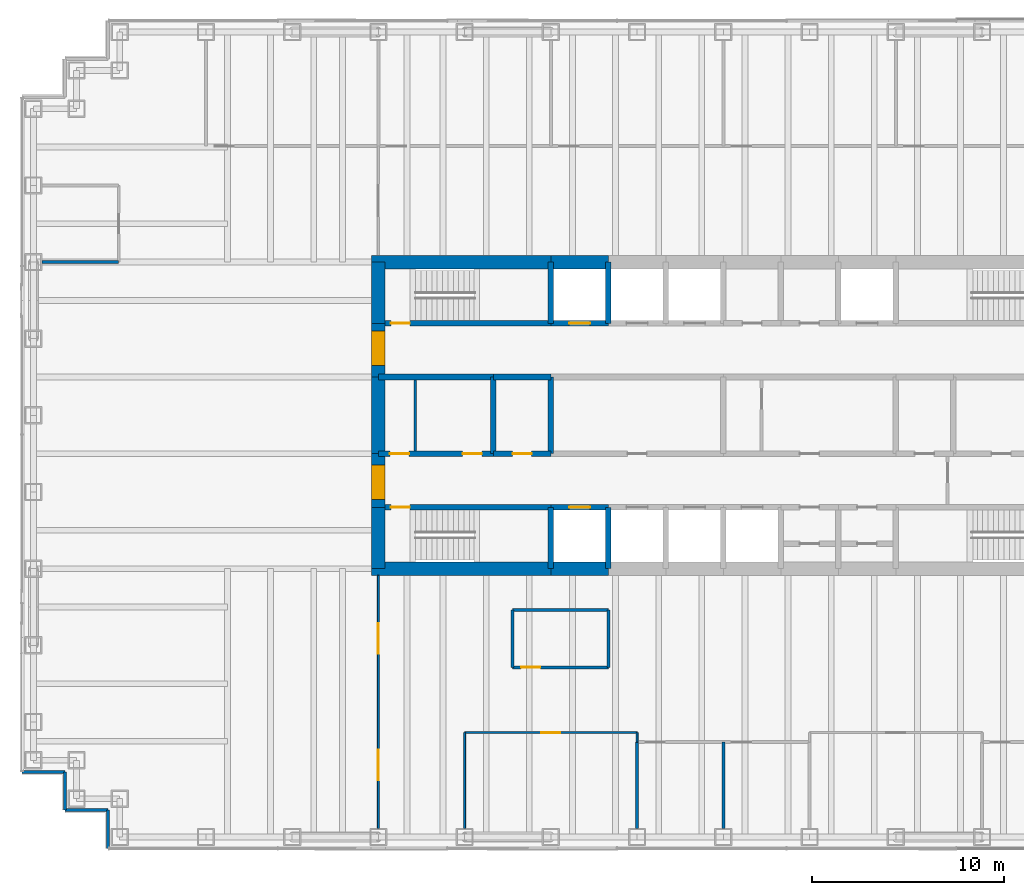
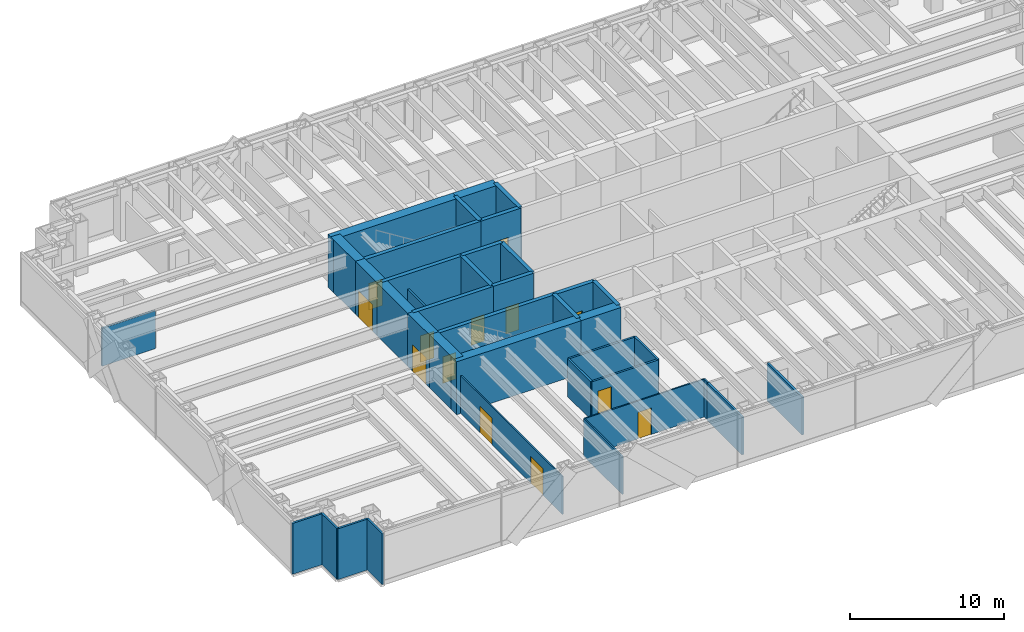
# One storey, part 13 of 17: 39 walls, 13 doors, 13 openings.
"""IFC4 building model written with IfcOpenShell, lengths in metres."""

from ifc_helpers import new_model, si_unit, direction, frame, frame_2d, origin, place, context, subcontext, project, spatial, rectangle, extrude, material, layer, layer_set, type_object, element, fill, save


model = new_model("IFC4")

# Units and contexts
model_context = context("Model", 3, precision=1e-05, world=origin(), true_north=direction((0.0, 1.0)))
body_context = subcontext(model_context, "Body", "Model", "MODEL_VIEW")
ifc_project = project(units=[si_unit("LENGTHUNIT", "METRE"), si_unit("AREAUNIT", "SQUARE_METRE"), si_unit("VOLUMEUNIT", "CUBIC_METRE"), si_unit("PLANEANGLEUNIT", "RADIAN"), si_unit("MASSUNIT", "GRAM", prefix="KILO")], contexts=[model_context])

# Site, building, storey
site_placement = place(None, origin())
site = spatial("IfcSite", under=ifc_project, at=site_placement, CompositionType="ELEMENT")
building_placement = place(site_placement, origin())
building = spatial("IfcBuilding", under=site, at=building_placement, Name="Rheinbord Bourse Tower", CompositionType="ELEMENT")
storey_placement = place(building_placement, frame((0.0, 0.0, 283.699951171875)))
storey = spatial("IfcBuildingStorey", under=building, at=storey_placement, Name="L64", CompositionType="ELEMENT", Elevation=283.699951171875)

# Wall, opening, door
ifc_material_1 = material(Name="Concrete C50/60", Category="concrete")
ifc_layer_1 = layer(ifc_material_1, 0.300048828125)
ifc_layer_set_1 = layer_set([ifc_layer_1], Name="CORE INNER WALL 300")
wall_type_1 = type_object("IfcWallType", Name="CORE INNER WALL 300", PredefinedType="SOLIDWALL", material=ifc_layer_set_1)
wall_1_placement = place(storey_placement, frame((18.0, 19.199951171875, 0.0), z_axis=(0.0, 0.0, 1.0), x_axis=(1.0, 0.0, 0.0)))
wall_1 = element("IfcWall", 1, at=wall_1_placement, inside=storey, type_object=wall_type_1, Name="Core wall A1 L64", PredefinedType="SOLIDWALL", context=body_context, shape_type="SweptSolid", body=[
    extrude(rectangle(XDim=9.0, YDim=0.300048828125, at=frame_2d((4.5, 0.0))), origin(), (0.0, 0.0, 1.0), 4.199951171875),
])
opening_1_placement = place(wall_1_placement, frame((0.64990234375, 0.0, 0.0)))
opening_1 = element("IfcOpeningElement", 2, at=opening_1_placement, cuts=wall_1, Name="Opening 6410", PredefinedType="OPENING", context=body_context, shape_type="SweptSolid", body=[
    extrude(rectangle(XDim=1.0, YDim=2.10009765625, at=frame_2d((0.5, 1.050048828125))), frame((0.0, 0.159912109375, 0.0), z_axis=(0.0, -1.0, 0.0), x_axis=(1.0, 0.0, 0.0)), (0.0, 0.0, 1.0), 0.320068359375),
])
ifc_material_2 = material(Name="Steel door", Category="steel")
door_type_1 = type_object("IfcDoorType", Name="DOOR 1000 EI30", OperationType="SINGLE_SWING_LEFT", PredefinedType="DOOR", material=ifc_material_2)
door_1_placement = place(opening_1_placement, origin())
door_1 = element("IfcDoor", 3, at=door_1_placement, inside=storey, type_object=door_type_1, Name="Stair door ST1 L64", OperationType="SINGLE_SWING_LEFT", OverallHeight=2.10009765625, OverallWidth=1.0, PredefinedType="DOOR", context=body_context, shape_type="SweptSolid", body=[
    extrude(rectangle(XDim=1.0, YDim=2.10009765625, at=frame_2d((0.5, 1.050048828125))), frame((0.0, 0.02490234375, 0.0), z_axis=(0.0, -1.0, 0.0), x_axis=(1.0, 0.0, 0.0)), (0.0, 0.0, 1.0), 0.050048828125),
])
fill(opening_1, door_1)

wall_2_placement = place(storey_placement, frame((27.0, 19.199951171875, 0.0), z_axis=(0.0, 0.0, 1.0), x_axis=(1.0, 0.0, 0.0)))
wall_2 = element("IfcWall", 4, at=wall_2_placement, inside=storey, type_object=wall_type_1, Name="Core wall A2 L64", PredefinedType="SOLIDWALL", context=body_context, shape_type="SweptSolid", body=[
    extrude(rectangle(XDim=3.0, YDim=0.300048828125, at=frame_2d((1.5, 0.0))), origin(), (0.0, 0.0, 1.0), 4.199951171875),
])
opening_2_placement = place(wall_2_placement, frame((0.949951171875, 0.0, 0.0)))
opening_2 = element("IfcOpeningElement", 5, at=opening_2_placement, cuts=wall_2, Name="Opening FL1", PredefinedType="OPENING", context=body_context, shape_type="SweptSolid", body=[
    extrude(rectangle(XDim=1.10009765625, YDim=2.199951171875, at=frame_2d((0.550048828125, 1.10009765625))), frame((0.0, 0.159912109375, 0.0), z_axis=(0.0, -1.0, 0.0), x_axis=(1.0, 0.0, 0.0)), (0.0, 0.0, 1.0), 0.320068359375),
])
ifc_material_3 = material(Name="Steel landing door", Category="steel")
door_type_2 = type_object("IfcDoorType", Name="LIFT LANDING DOOR 1100", OperationType="DOUBLE_DOOR_SLIDING", PredefinedType="USERDEFINED", material=ifc_material_3)
door_2_placement = place(opening_2_placement, origin())
door_2 = element("IfcDoor", 6, at=door_2_placement, inside=storey, type_object=door_type_2, Name="Lift landing door FL1 L64", ObjectType="LIFT LANDING DOOR", OperationType="DOUBLE_DOOR_SLIDING", OverallHeight=2.199951171875, OverallWidth=1.10009765625, PredefinedType="USERDEFINED", context=body_context, shape_type="SweptSolid", body=[
    extrude(rectangle(XDim=1.10009765625, YDim=2.199951171875, at=frame_2d((0.550048828125, 1.10009765625))), frame((0.0, 0.02490234375, 0.0), z_axis=(0.0, -1.0, 0.0), x_axis=(1.0, 0.0, 0.0)), (0.0, 0.0, 1.0), 0.050048828125),
])
fill(opening_2, door_2)

wall_3_placement = place(storey_placement, frame((18.0, 28.800048828125, 0.0), z_axis=(0.0, 0.0, 1.0), x_axis=(1.0, 0.0, 0.0)))
wall_3 = element("IfcWall", 7, at=wall_3_placement, inside=storey, type_object=wall_type_1, Name="Core wall B1 L64", PredefinedType="SOLIDWALL", context=body_context, shape_type="SweptSolid", body=[
    extrude(rectangle(XDim=9.0, YDim=0.300048828125, at=frame_2d((4.5, 0.0))), origin(), (0.0, 0.0, 1.0), 4.199951171875),
])
opening_3_placement = place(wall_3_placement, frame((0.64990234375, 0.0, 0.0)))
opening_3 = element("IfcOpeningElement", 8, at=opening_3_placement, cuts=wall_3, Name="Opening 6420", PredefinedType="OPENING", context=body_context, shape_type="SweptSolid", body=[
    extrude(rectangle(XDim=1.0, YDim=2.10009765625, at=frame_2d((0.5, 1.050048828125))), frame((0.0, 0.159912109375, 0.0), z_axis=(0.0, -1.0, 0.0), x_axis=(1.0, 0.0, 0.0)), (0.0, 0.0, 1.0), 0.320068359375),
])
door_3_placement = place(opening_3_placement, origin())
door_3 = element("IfcDoor", 9, at=door_3_placement, inside=storey, type_object=door_type_1, Name="Stair door ST2 L64", OperationType="SINGLE_SWING_LEFT", OverallHeight=2.10009765625, OverallWidth=1.0, PredefinedType="DOOR", context=body_context, shape_type="SweptSolid", body=[
    extrude(rectangle(XDim=1.0, YDim=2.10009765625, at=frame_2d((0.5, 1.050048828125))), frame((0.0, 0.02490234375, 0.0), z_axis=(0.0, -1.0, 0.0), x_axis=(1.0, 0.0, 0.0)), (0.0, 0.0, 1.0), 0.050048828125),
])
fill(opening_3, door_3)

wall_4_placement = place(storey_placement, frame((27.0, 28.800048828125, 0.0), z_axis=(0.0, 0.0, 1.0), x_axis=(1.0, 0.0, 0.0)))
wall_4 = element("IfcWall", 10, at=wall_4_placement, inside=storey, type_object=wall_type_1, Name="Core wall B2 L64", PredefinedType="SOLIDWALL", context=body_context, shape_type="SweptSolid", body=[
    extrude(rectangle(XDim=3.0, YDim=0.300048828125, at=frame_2d((1.5, 0.0))), origin(), (0.0, 0.0, 1.0), 4.199951171875),
])
opening_4_placement = place(wall_4_placement, frame((0.949951171875, 0.0, 0.0)))
opening_4 = element("IfcOpeningElement", 11, at=opening_4_placement, cuts=wall_4, Name="Opening GL1", PredefinedType="OPENING", context=body_context, shape_type="SweptSolid", body=[
    extrude(rectangle(XDim=1.10009765625, YDim=2.199951171875, at=frame_2d((0.550048828125, 1.10009765625))), frame((0.0, 0.159912109375, 0.0), z_axis=(0.0, -1.0, 0.0), x_axis=(1.0, 0.0, 0.0)), (0.0, 0.0, 1.0), 0.320068359375),
])
door_4_placement = place(opening_4_placement, origin())
door_4 = element("IfcDoor", 12, at=door_4_placement, inside=storey, type_object=door_type_2, Name="Lift landing door GL1 L64", ObjectType="LIFT LANDING DOOR", OperationType="DOUBLE_DOOR_SLIDING", OverallHeight=2.199951171875, OverallWidth=1.10009765625, PredefinedType="USERDEFINED", context=body_context, shape_type="SweptSolid", body=[
    extrude(rectangle(XDim=1.10009765625, YDim=2.199951171875, at=frame_2d((0.550048828125, 1.10009765625))), frame((0.0, 0.02490234375, 0.0), z_axis=(0.0, -1.0, 0.0), x_axis=(1.0, 0.0, 0.0)), (0.0, 0.0, 1.0), 0.050048828125),
])
fill(opening_4, door_4)

# Wall, openings, doors
wall_5_placement = place(storey_placement, frame((18.0, 22.0, 0.0), z_axis=(0.0, 0.0, 1.0), x_axis=(1.0, 0.0, 0.0)))
wall_5 = element("IfcWall", 13, at=wall_5_placement, inside=storey, type_object=wall_type_1, Name="Core wall C1 L64", PredefinedType="SOLIDWALL", context=body_context, shape_type="SweptSolid", body=[
    extrude(rectangle(XDim=6.0, YDim=0.300048828125, at=frame_2d((3.0, 0.0))), origin(), (0.0, 0.0, 1.0), 4.199951171875),
])
opening_5_placement = place(wall_5_placement, frame((4.39990234375, 0.0, 0.0)))
opening_5 = element("IfcOpeningElement", 14, at=opening_5_placement, cuts=wall_5, Name="Opening 64R1", PredefinedType="OPENING", context=body_context, shape_type="SweptSolid", body=[
    extrude(rectangle(XDim=1.0, YDim=2.10009765625, at=frame_2d((0.5, 1.050048828125))), frame((0.0, 0.159912109375, 0.0), z_axis=(0.0, -1.0, 0.0), x_axis=(1.0, 0.0, 0.0)), (0.0, 0.0, 1.0), 0.320068359375),
])
opening_6_placement = place(wall_5_placement, frame((0.60009765625, 0.0, 0.0)))
opening_6 = element("IfcOpeningElement", 15, at=opening_6_placement, cuts=wall_5, Name="Opening 64R9", PredefinedType="OPENING", context=body_context, shape_type="SweptSolid", body=[
    extrude(rectangle(XDim=1.0, YDim=2.10009765625, at=frame_2d((0.5, 1.050048828125))), frame((0.0, 0.159912109375, 0.0), z_axis=(0.0, -1.0, 0.0), x_axis=(1.0, 0.0, 0.0)), (0.0, 0.0, 1.0), 0.320068359375),
])
door_5_placement = place(opening_6_placement, origin())
door_5 = element("IfcDoor", 16, at=door_5_placement, inside=storey, type_object=door_type_1, Name="Staff shower door L64", OperationType="SINGLE_SWING_LEFT", OverallHeight=2.10009765625, OverallWidth=1.0, PredefinedType="DOOR", context=body_context, shape_type="SweptSolid", body=[
    extrude(rectangle(XDim=1.0, YDim=2.10009765625, at=frame_2d((0.5, 1.050048828125))), frame((0.0, 0.02490234375, 0.0), z_axis=(0.0, -1.0, 0.0), x_axis=(1.0, 0.0, 0.0)), (0.0, 0.0, 1.0), 0.050048828125),
])
fill(opening_6, door_5)
ifc_material_4 = material(Name="Timber door", Category="wood")
door_type_3 = type_object("IfcDoorType", Name="DOOR 1000 WC", OperationType="SINGLE_SWING_LEFT", PredefinedType="DOOR", material=ifc_material_4)
door_6_placement = place(opening_5_placement, origin())
door_6 = element("IfcDoor", 17, at=door_6_placement, inside=storey, type_object=door_type_3, Name="WC men door L64", OperationType="SINGLE_SWING_RIGHT", OverallHeight=2.10009765625, OverallWidth=1.0, PredefinedType="DOOR", context=body_context, shape_type="SweptSolid", body=[
    extrude(rectangle(XDim=1.0, YDim=2.10009765625, at=frame_2d((0.5, 1.050048828125))), frame((0.0, 0.02490234375, 0.0), z_axis=(0.0, -1.0, 0.0), x_axis=(1.0, 0.0, 0.0)), (0.0, 0.0, 1.0), 0.050048828125),
])
fill(opening_5, door_6)

# Wall, opening, door
wall_6_placement = place(storey_placement, frame((24.0, 22.0, 0.0), z_axis=(0.0, 0.0, 1.0), x_axis=(1.0, 0.0, 0.0)))
wall_6 = element("IfcWall", 18, at=wall_6_placement, inside=storey, type_object=wall_type_1, Name="Core wall C2 L64", PredefinedType="SOLIDWALL", context=body_context, shape_type="SweptSolid", body=[
    extrude(rectangle(XDim=3.0, YDim=0.300048828125, at=frame_2d((1.5, 0.0))), origin(), (0.0, 0.0, 1.0), 4.199951171875),
])
opening_7_placement = place(wall_6_placement, frame((1.0, 0.0, 0.0)))
opening_7 = element("IfcOpeningElement", 19, at=opening_7_placement, cuts=wall_6, Name="Opening 64R2", PredefinedType="OPENING", context=body_context, shape_type="SweptSolid", body=[
    extrude(rectangle(XDim=1.0, YDim=2.10009765625, at=frame_2d((0.5, 1.050048828125))), frame((0.0, 0.159912109375, 0.0), z_axis=(0.0, -1.0, 0.0), x_axis=(1.0, 0.0, 0.0)), (0.0, 0.0, 1.0), 0.320068359375),
])
door_7_placement = place(opening_7_placement, origin())
door_7 = element("IfcDoor", 20, at=door_7_placement, inside=storey, type_object=door_type_1, Name="First aid room door L64", OperationType="SINGLE_SWING_LEFT", OverallHeight=2.10009765625, OverallWidth=1.0, PredefinedType="DOOR", context=body_context, shape_type="SweptSolid", body=[
    extrude(rectangle(XDim=1.0, YDim=2.10009765625, at=frame_2d((0.5, 1.050048828125))), frame((0.0, 0.02490234375, 0.0), z_axis=(0.0, -1.0, 0.0), x_axis=(1.0, 0.0, 0.0)), (0.0, 0.0, 1.0), 0.050048828125),
])
fill(opening_7, door_7)

# Walls
wall_7_placement = place(storey_placement, frame((18.0, 26.0, 0.0), z_axis=(0.0, 0.0, 1.0), x_axis=(1.0, 0.0, 0.0)))
element("IfcWall", 21, at=wall_7_placement, inside=storey, type_object=wall_type_1, Name="Core wall D1 L64", PredefinedType="SOLIDWALL", context=body_context, shape_type="SweptSolid", body=[
    extrude(rectangle(XDim=6.0, YDim=0.300048828125, at=frame_2d((3.0, 0.0))), origin(), (0.0, 0.0, 1.0), 4.199951171875),
])
wall_8_placement = place(storey_placement, frame((24.0, 26.0, 0.0), z_axis=(0.0, 0.0, 1.0), x_axis=(1.0, 0.0, 0.0)))
element("IfcWall", 22, at=wall_8_placement, inside=storey, type_object=wall_type_1, Name="Core wall D2 L64", PredefinedType="SOLIDWALL", context=body_context, shape_type="SweptSolid", body=[
    extrude(rectangle(XDim=3.0, YDim=0.300048828125, at=frame_2d((1.5, 0.0))), origin(), (0.0, 0.0, 1.0), 4.199951171875),
])
for number, where, z_axis, x_axis, name in (
    (23, (27.0, 16.0, 0.0), (0.0, 0.0, 1.0), (0.0, 1.0, 0.0), "Core wall SX27 L64"),
    (24, (27.0, 28.800048828125, 0.0), (0.0, 0.0, 1.0), (0.0, 1.0, 0.0), "Core wall NX27 L64"),
    (25, (30.0, 16.0, 0.0), (0.0, 0.0, 1.0), (0.0, 1.0, 0.0), "Core wall SX30 L64"),
    (26, (30.0, 28.800048828125, 0.0), (0.0, 0.0, 1.0), (0.0, 1.0, 0.0), "Core wall NX30 L64"),
):
    element("IfcWall", number, at=place(storey_placement, frame(where, z_axis=z_axis, x_axis=x_axis)), inside=storey, type_object=wall_type_1, Name=name, PredefinedType="SOLIDWALL", context=body_context, shape_type="SweptSolid", body=[
        extrude(rectangle(XDim=3.199951171875, YDim=0.300048828125, at=frame_2d((1.60009765625, 0.0))), origin(), (0.0, 0.0, 1.0), 4.199951171875),
    ])
for number, where, z_axis, x_axis, name in (
    (27, (24.0, 22.0, 0.0), (0.0, 0.0, 1.0), (0.0, 1.0, 0.0), "Core wall MX24 L64"),
    (28, (27.0, 22.0, 0.0), (0.0, 0.0, 1.0), (0.0, 1.0, 0.0), "Core wall MX27 L64"),
):
    element("IfcWall", number, at=place(storey_placement, frame(where, z_axis=z_axis, x_axis=x_axis)), inside=storey, type_object=wall_type_1, Name=name, PredefinedType="SOLIDWALL", context=body_context, shape_type="SweptSolid", body=[
        extrude(rectangle(XDim=4.0, YDim=0.300048828125, at=frame_2d((2.0, 0.0))), origin(), (0.0, 0.0, 1.0), 4.199951171875),
    ])
ifc_material_5 = material(Name="Gypsum board fire partition", Category="gypsum board")
ifc_layer_2 = layer(ifc_material_5, 0.14990234375)
ifc_layer_set_2 = layer_set([ifc_layer_2], Name="CORE PARTITION 150 EI30")
wall_type_2 = type_object("IfcWallType", Name="CORE PARTITION 150 EI30", PredefinedType="PARTITIONING", material=ifc_layer_set_2)
wall_9_placement = place(storey_placement, frame((19.925048828125, 22.14990234375, 0.0), z_axis=(0.0, 0.0, 1.0), x_axis=(0.0, 1.0, 0.0)))
element("IfcWall", 29, at=wall_9_placement, inside=storey, type_object=wall_type_2, Name="Core partition L64-2", PredefinedType="PARTITIONING", context=body_context, shape_type="SweptSolid", body=[
    extrude(rectangle(XDim=3.7001953125, YDim=0.14990234375, at=frame_2d((1.85009765625, 0.0))), origin(), (0.0, 0.0, 1.0), 3.0),
])
ifc_material_6 = material(Name="Concrete C50/60", Category="concrete")
ifc_layer_3 = layer(ifc_material_6, 0.699951171875)
ifc_layer_set_3 = layer_set([ifc_layer_3], Name="CORE WALL 700")
wall_type_3 = type_object("IfcWallType", Name="CORE WALL 700", PredefinedType="SHEAR", material=ifc_layer_set_3)
wall_10_placement = place(storey_placement, frame((17.64990234375, 16.0, 0.0), z_axis=(0.0, 0.0, 1.0), x_axis=(1.0, 0.0, 0.0)))
element("IfcWall", 30, at=wall_10_placement, inside=storey, type_object=wall_type_3, Name="Core wall S1 L64", PredefinedType="SHEAR", context=body_context, shape_type="SweptSolid", body=[
    extrude(rectangle(XDim=9.35009765625, YDim=0.699951171875, at=frame_2d((4.675048828125, 0.0))), origin(), (0.0, 0.0, 1.0), 4.199951171875),
])
for number, where, z_axis, x_axis, name in (
    (31, (27.0, 16.0, 0.0), (0.0, 0.0, 1.0), (1.0, 0.0, 0.0), "Core wall S2 L64"),
    (32, (30.0, 32.0, 0.0), (0.0, 0.0, 1.0), (-1.0, 0.0, 0.0), "Core wall N7 L64"),
):
    element("IfcWall", number, at=place(storey_placement, frame(where, z_axis=z_axis, x_axis=x_axis)), inside=storey, type_object=wall_type_3, Name=name, PredefinedType="SHEAR", context=body_context, shape_type="SweptSolid", body=[
        extrude(rectangle(XDim=3.0, YDim=0.699951171875, at=frame_2d((1.5, 0.0))), origin(), (0.0, 0.0, 1.0), 4.199951171875),
    ])
wall_11_placement = place(storey_placement, frame((27.0, 32.0, 0.0), z_axis=(0.0, 0.0, 1.0), x_axis=(-1.0, 0.0, 0.0)))
element("IfcWall", 33, at=wall_11_placement, inside=storey, type_object=wall_type_3, Name="Core wall N8 L64", PredefinedType="SHEAR", context=body_context, shape_type="SweptSolid", body=[
    extrude(rectangle(XDim=9.35009765625, YDim=0.699951171875, at=frame_2d((4.675048828125, 0.0))), origin(), (0.0, 0.0, 1.0), 4.199951171875),
])
wall_12_placement = place(storey_placement, frame((18.0, 32.0, 0.0), z_axis=(0.0, 0.0, 1.0), x_axis=(0.0, -1.0, 0.0)))
element("IfcWall", 34, at=wall_12_placement, inside=storey, type_object=wall_type_3, Name="Core wall W1 L64", PredefinedType="SHEAR", context=body_context, shape_type="SweptSolid", body=[
    extrude(rectangle(XDim=3.199951171875, YDim=0.699951171875, at=frame_2d((1.60009765625, 0.0))), origin(), (0.0, 0.0, 1.0), 4.199951171875),
])

# Wall, opening, door
wall_13_placement = place(storey_placement, frame((18.0, 28.800048828125, 0.0), z_axis=(0.0, 0.0, 1.0), x_axis=(0.0, -1.0, 0.0)))
wall_13 = element("IfcWall", 35, at=wall_13_placement, inside=storey, type_object=wall_type_3, Name="Core wall W2 L64", PredefinedType="SHEAR", context=body_context, shape_type="SweptSolid", body=[
    extrude(rectangle(XDim=2.800048828125, YDim=0.699951171875, at=frame_2d((1.39990234375, 0.0))), origin(), (0.0, 0.0, 1.0), 4.199951171875),
])
opening_8_placement = place(wall_13_placement, frame((0.39990234375, 0.0, 0.0)))
opening_8 = element("IfcOpeningElement", 36, at=opening_8_placement, cuts=wall_13, Name="Opening 64L2", PredefinedType="OPENING", context=body_context, shape_type="SweptSolid", body=[
    extrude(rectangle(XDim=1.800048828125, YDim=2.10009765625, at=frame_2d((0.89990234375, 1.050048828125))), frame((0.0, 0.35986328125, 0.0), z_axis=(0.0, -1.0, 0.0), x_axis=(1.0, 0.0, 0.0)), (0.0, 0.0, 1.0), 0.719970703125),
])
ifc_material_7 = material(Name="Steel door", Category="steel")
door_type_4 = type_object("IfcDoorType", Name="DOOR 1800 EI30 DOUBLE", OperationType="DOUBLE_DOOR_DOUBLE_SWING", PredefinedType="DOOR", material=ifc_material_7)
door_8_placement = place(opening_8_placement, origin())
door_8 = element("IfcDoor", 37, at=door_8_placement, inside=storey, type_object=door_type_4, Name="Lobby door 2 L64", OperationType="SINGLE_SWING_LEFT", OverallHeight=2.10009765625, OverallWidth=1.800048828125, PredefinedType="DOOR", context=body_context, shape_type="SweptSolid", body=[
    extrude(rectangle(XDim=1.800048828125, YDim=2.10009765625, at=frame_2d((0.89990234375, 1.050048828125))), frame((0.0, 0.349609375, 0.0), z_axis=(0.0, -1.0, 0.0), x_axis=(1.0, 0.0, 0.0)), (0.0, 0.0, 1.0), 0.699462890625),
])
fill(opening_8, door_8)

# Wall
wall_14_placement = place(storey_placement, frame((18.0, 26.0, 0.0), z_axis=(0.0, 0.0, 1.0), x_axis=(0.0, -1.0, 0.0)))
element("IfcWall", 38, at=wall_14_placement, inside=storey, type_object=wall_type_3, Name="Core wall W3 L64", PredefinedType="SHEAR", context=body_context, shape_type="SweptSolid", body=[
    extrude(rectangle(XDim=4.0, YDim=0.699951171875, at=frame_2d((2.0, 0.0))), origin(), (0.0, 0.0, 1.0), 4.199951171875),
])

# Wall, opening, door
wall_15_placement = place(storey_placement, frame((18.0, 22.0, 0.0), z_axis=(0.0, 0.0, 1.0), x_axis=(0.0, -1.0, 0.0)))
wall_15 = element("IfcWall", 39, at=wall_15_placement, inside=storey, type_object=wall_type_3, Name="Core wall W4 L64", PredefinedType="SHEAR", context=body_context, shape_type="SweptSolid", body=[
    extrude(rectangle(XDim=2.800048828125, YDim=0.699951171875, at=frame_2d((1.39990234375, 0.0))), origin(), (0.0, 0.0, 1.0), 4.199951171875),
])
opening_9_placement = place(wall_15_placement, frame((0.60009765625, 0.0, 0.0)))
opening_9 = element("IfcOpeningElement", 40, at=opening_9_placement, cuts=wall_15, Name="Opening 64L1", PredefinedType="OPENING", context=body_context, shape_type="SweptSolid", body=[
    extrude(rectangle(XDim=1.800048828125, YDim=2.10009765625, at=frame_2d((0.89990234375, 1.050048828125))), frame((0.0, 0.35986328125, 0.0), z_axis=(0.0, -1.0, 0.0), x_axis=(1.0, 0.0, 0.0)), (0.0, 0.0, 1.0), 0.719970703125),
])
door_9_placement = place(opening_9_placement, origin())
door_9 = element("IfcDoor", 41, at=door_9_placement, inside=storey, type_object=door_type_4, Name="Lobby door 1 L64", OperationType="SINGLE_SWING_LEFT", OverallHeight=2.10009765625, OverallWidth=1.800048828125, PredefinedType="DOOR", context=body_context, shape_type="SweptSolid", body=[
    extrude(rectangle(XDim=1.800048828125, YDim=2.10009765625, at=frame_2d((0.89990234375, 1.050048828125))), frame((0.0, 0.349609375, 0.0), z_axis=(0.0, -1.0, 0.0), x_axis=(1.0, 0.0, 0.0)), (0.0, 0.0, 1.0), 0.699462890625),
])
fill(opening_9, door_9)

# Walls
wall_16_placement = place(storey_placement, frame((18.0, 19.199951171875, 0.0), z_axis=(0.0, 0.0, 1.0), x_axis=(0.0, -1.0, 0.0)))
element("IfcWall", 42, at=wall_16_placement, inside=storey, type_object=wall_type_3, Name="Core wall W5 L64", PredefinedType="SHEAR", context=body_context, shape_type="SweptSolid", body=[
    extrude(rectangle(XDim=3.199951171875, YDim=0.699951171875, at=frame_2d((1.60009765625, 0.0))), origin(), (0.0, 0.0, 1.0), 4.199951171875),
])
ifc_material_8 = material(Name="Black metal rainscreen panel", Category="aluminium")
ifc_layer_4 = layer(ifc_material_8, 0.14990234375)
ifc_layer_set_4 = layer_set([ifc_layer_4], Name="CORNER PIER CLADDING 150")
wall_type_4 = type_object("IfcWallType", Name="CORNER PIER CLADDING 150", PredefinedType="ELEMENTEDWALL", material=ifc_layer_set_4)
wall_17_placement = place(storey_placement, frame((-0.60009765625, 5.39990234375, 0.0), z_axis=(0.0, 0.0, 1.0), x_axis=(1.0, 0.0, 0.0)))
element("IfcWall", 43, at=wall_17_placement, inside=storey, type_object=wall_type_4, Name="Corner pier cladding L64 17", PredefinedType="ELEMENTEDWALL", context=body_context, shape_type="SweptSolid", body=[
    extrude(rectangle(XDim=2.25, YDim=0.14990234375, at=frame_2d((1.125, 0.0))), origin(), (0.0, 0.0, 1.0), 4.0400390625),
])
wall_18_placement = place(storey_placement, frame((1.64990234375, 5.39990234375, 0.0), z_axis=(0.0, 0.0, 1.0), x_axis=(0.0, -1.0, 0.0)))
element("IfcWall", 44, at=wall_18_placement, inside=storey, type_object=wall_type_4, Name="Corner pier cladding L64 18", PredefinedType="ELEMENTEDWALL", context=body_context, shape_type="SweptSolid", body=[
    extrude(rectangle(XDim=2.0, YDim=0.14990234375, at=frame_2d((1.0, 0.0))), origin(), (0.0, 0.0, 1.0), 4.0400390625),
])
wall_19_placement = place(storey_placement, frame((1.64990234375, 3.39990234375, 0.0), z_axis=(0.0, 0.0, 1.0), x_axis=(1.0, 0.0, 0.0)))
element("IfcWall", 45, at=wall_19_placement, inside=storey, type_object=wall_type_4, Name="Corner pier cladding L64 19", PredefinedType="ELEMENTEDWALL", context=body_context, shape_type="SweptSolid", body=[
    extrude(rectangle(XDim=2.25, YDim=0.14990234375, at=frame_2d((1.125, 0.0))), origin(), (0.0, 0.0, 1.0), 4.0400390625),
])
wall_20_placement = place(storey_placement, frame((3.89990234375, 3.39990234375, 0.0), z_axis=(0.0, 0.0, 1.0), x_axis=(0.0, -1.0, 0.0)))
element("IfcWall", 46, at=wall_20_placement, inside=storey, type_object=wall_type_4, Name="Corner pier cladding L64 20", PredefinedType="ELEMENTEDWALL", context=body_context, shape_type="SweptSolid", body=[
    extrude(rectangle(XDim=2.0, YDim=0.14990234375, at=frame_2d((1.0, 0.0))), origin(), (0.0, 0.0, 1.0), 4.0400390625),
])

# Wall, opening, door
ifc_material_9 = material(Name="Gypsum board fire partition", Category="gypsum board")
ifc_layer_5 = layer(ifc_material_9, 0.14990234375)
ifc_layer_set_5 = layer_set([ifc_layer_5], Name="FIRE PARTITION 150 EI60")
wall_type_5 = type_object("IfcWallType", Name="FIRE PARTITION 150 EI60", PredefinedType="PARTITIONING", material=ifc_layer_set_5)
wall_21_placement = place(storey_placement, frame((25.0, 10.85009765625, 0.0), z_axis=(0.0, 0.0, 1.0), x_axis=(1.0, 0.0, 0.0)))
wall_21 = element("IfcWall", 47, at=wall_21_placement, inside=storey, type_object=wall_type_5, Name="Partition L64-05", PredefinedType="PARTITIONING", context=body_context, shape_type="SweptSolid", body=[
    extrude(rectangle(XDim=5.0, YDim=0.14990234375, at=frame_2d((2.5, 0.0))), origin(), (0.0, 0.0, 1.0), 3.0),
])
opening_10_placement = place(wall_21_placement, frame((0.449951171875, 0.0, 0.0)))
opening_10 = element("IfcOpeningElement", 48, at=opening_10_placement, cuts=wall_21, Name="Opening 64D06", PredefinedType="OPENING", context=body_context, shape_type="SweptSolid", body=[
    extrude(rectangle(XDim=1.0, YDim=2.10009765625, at=frame_2d((0.5, 1.050048828125))), frame((0.0, 0.0849609375, 0.0), z_axis=(0.0, -1.0, 0.0), x_axis=(1.0, 0.0, 0.0)), (0.0, 0.0, 1.0), 0.169921875),
])
ifc_material_10 = material(Name="Timber fire door", Category="wood")
door_type_5 = type_object("IfcDoorType", Name="FIRE DOOR 1000 EI60", OperationType="SINGLE_SWING_LEFT", PredefinedType="DOOR", material=ifc_material_10)
door_10_placement = place(opening_10_placement, origin())
door_10 = element("IfcDoor", 49, at=door_10_placement, inside=storey, type_object=door_type_5, Name="Comms room door L64", OperationType="SINGLE_SWING_LEFT", OverallHeight=2.10009765625, OverallWidth=1.0, PredefinedType="DOOR", context=body_context, shape_type="SweptSolid", body=[
    extrude(rectangle(XDim=1.0, YDim=2.10009765625, at=frame_2d((0.5, 1.050048828125))), frame((0.0, 0.02490234375, 0.0), z_axis=(0.0, -1.0, 0.0), x_axis=(1.0, 0.0, 0.0)), (0.0, 0.0, 1.0), 0.050048828125),
])
fill(opening_10, door_10)

# Walls
wall_22_placement = place(storey_placement, frame((25.0, 13.85009765625, 0.0), z_axis=(0.0, 0.0, 1.0), x_axis=(1.0, 0.0, 0.0)))
element("IfcWall", 50, at=wall_22_placement, inside=storey, type_object=wall_type_5, Name="Partition L64-07", PredefinedType="PARTITIONING", context=body_context, shape_type="SweptSolid", body=[
    extrude(rectangle(XDim=5.0, YDim=0.14990234375, at=frame_2d((2.5, 0.0))), origin(), (0.0, 0.0, 1.0), 3.0),
])
for number, where, z_axis, x_axis, name in (
    (51, (25.0, 10.85009765625, 0.0), (0.0, 0.0, 1.0), (0.0, 1.0, 0.0), "Partition L64-18"),
    (52, (30.0, 10.85009765625, 0.0), (0.0, 0.0, 1.0), (0.0, 1.0, 0.0), "Partition L64-20"),
):
    element("IfcWall", number, at=place(storey_placement, frame(where, z_axis=z_axis, x_axis=x_axis)), inside=storey, type_object=wall_type_5, Name=name, PredefinedType="PARTITIONING", context=body_context, shape_type="SweptSolid", body=[
        extrude(rectangle(XDim=3.0, YDim=0.14990234375, at=frame_2d((1.5, 0.0))), origin(), (0.0, 0.0, 1.0), 3.0),
    ])

# Wall, opening, door
ifc_material_11 = material(Name="Toughened laminated glass partition", Category="glass")
ifc_layer_6 = layer(ifc_material_11, 0.10009765625)
ifc_layer_set_6 = layer_set([ifc_layer_6], Name="GLAZED PARTITION 100")
wall_type_6 = type_object("IfcWallType", Name="GLAZED PARTITION 100", PredefinedType="PARTITIONING", material=ifc_layer_set_6)
wall_23_placement = place(storey_placement, frame((22.5, 7.449951171875, 0.0), z_axis=(0.0, 0.0, 1.0), x_axis=(1.0, 0.0, 0.0)))
wall_23 = element("IfcWall", 53, at=wall_23_placement, inside=storey, type_object=wall_type_6, Name="Partition L64-03", PredefinedType="PARTITIONING", context=body_context, shape_type="SweptSolid", body=[
    extrude(rectangle(XDim=9.0, YDim=0.10009765625, at=frame_2d((4.5, 0.0))), origin(), (0.0, 0.0, 1.0), 3.0),
])
opening_11_placement = place(wall_23_placement, frame((4.0, 0.0, 0.0)))
opening_11 = element("IfcOpeningElement", 54, at=opening_11_placement, cuts=wall_23, Name="Opening 64D04", PredefinedType="OPENING", context=body_context, shape_type="SweptSolid", body=[
    extrude(rectangle(XDim=1.0, YDim=2.10009765625, at=frame_2d((0.5, 1.050048828125))), frame((0.0, 0.06005859375, 0.0), z_axis=(0.0, -1.0, 0.0), x_axis=(1.0, 0.0, 0.0)), (0.0, 0.0, 1.0), 0.1201171875),
])
ifc_material_12 = material(Name="Timber door", Category="wood")
door_type_6 = type_object("IfcDoorType", Name="ROOM DOOR 1000", OperationType="SINGLE_SWING_LEFT", PredefinedType="DOOR", material=ifc_material_12)
door_11_placement = place(opening_11_placement, origin())
door_11 = element("IfcDoor", 55, at=door_11_placement, inside=storey, type_object=door_type_6, Name="Meeting room door L64", OperationType="SINGLE_SWING_LEFT", OverallHeight=2.10009765625, OverallWidth=1.0, PredefinedType="DOOR", context=body_context, shape_type="SweptSolid", body=[
    extrude(rectangle(XDim=1.0, YDim=2.10009765625, at=frame_2d((0.5, 1.050048828125))), frame((0.0, 0.02490234375, 0.0), z_axis=(0.0, -1.0, 0.0), x_axis=(1.0, 0.0, 0.0)), (0.0, 0.0, 1.0), 0.050048828125),
])
fill(opening_11, door_11)

# Wall, openings, doors
wall_24_placement = place(storey_placement, frame((18.0, 2.449951171875, 0.0), z_axis=(0.0, 0.0, 1.0), x_axis=(0.0, 1.0, 0.0)))
wall_24 = element("IfcWall", 56, at=wall_24_placement, inside=storey, type_object=wall_type_6, Name="Partition L64-14", PredefinedType="PARTITIONING", context=body_context, shape_type="SweptSolid", body=[
    extrude(rectangle(XDim=13.199951171875, YDim=0.10009765625, at=frame_2d((6.60009765625, 0.0))), origin(), (0.0, 0.0, 1.0), 3.0),
])
opening_12_placement = place(wall_24_placement, frame((2.5, 0.0, 0.0)))
opening_12 = element("IfcOpeningElement", 57, at=opening_12_placement, cuts=wall_24, Name="Opening 64D15", PredefinedType="OPENING", context=body_context, shape_type="SweptSolid", body=[
    extrude(rectangle(XDim=1.60009765625, YDim=2.10009765625, at=frame_2d((0.800048828125, 1.050048828125))), frame((0.0, 0.06005859375, 0.0), z_axis=(0.0, -1.0, 0.0), x_axis=(1.0, 0.0, 0.0)), (0.0, 0.0, 1.0), 0.1201171875),
])
opening_13_placement = place(wall_24_placement, frame((9.10009765625, 0.0, 0.0)))
opening_13 = element("IfcOpeningElement", 58, at=opening_13_placement, cuts=wall_24, Name="Opening 64D16", PredefinedType="OPENING", context=body_context, shape_type="SweptSolid", body=[
    extrude(rectangle(XDim=1.60009765625, YDim=2.10009765625, at=frame_2d((0.800048828125, 1.050048828125))), frame((0.0, 0.06005859375, 0.0), z_axis=(0.0, -1.0, 0.0), x_axis=(1.0, 0.0, 0.0)), (0.0, 0.0, 1.0), 0.1201171875),
])
ifc_material_13 = material(Name="Timber door", Category="wood")
door_type_7 = type_object("IfcDoorType", Name="DOUBLE ROOM DOOR 1600", OperationType="DOUBLE_DOOR_DOUBLE_SWING", PredefinedType="DOOR", material=ifc_material_13)
door_12_placement = place(opening_12_placement, origin())
door_12 = element("IfcDoor", 59, at=door_12_placement, inside=storey, type_object=door_type_7, Name="Open area door L64", OperationType="SINGLE_SWING_LEFT", OverallHeight=2.10009765625, OverallWidth=1.60009765625, PredefinedType="DOOR", context=body_context, shape_type="SweptSolid", body=[
    extrude(rectangle(XDim=1.60009765625, YDim=2.10009765625, at=frame_2d((0.800048828125, 1.050048828125))), frame((0.0, 0.02490234375, 0.0), z_axis=(0.0, -1.0, 0.0), x_axis=(1.0, 0.0, 0.0)), (0.0, 0.0, 1.0), 0.050048828125),
])
fill(opening_12, door_12)
door_13_placement = place(opening_13_placement, origin())
door_13 = element("IfcDoor", 60, at=door_13_placement, inside=storey, type_object=door_type_7, Name="Open area door L64", OperationType="SINGLE_SWING_LEFT", OverallHeight=2.10009765625, OverallWidth=1.60009765625, PredefinedType="DOOR", context=body_context, shape_type="SweptSolid", body=[
    extrude(rectangle(XDim=1.60009765625, YDim=2.10009765625, at=frame_2d((0.800048828125, 1.050048828125))), frame((0.0, 0.02490234375, 0.0), z_axis=(0.0, -1.0, 0.0), x_axis=(1.0, 0.0, 0.0)), (0.0, 0.0, 1.0), 0.050048828125),
])
fill(opening_13, door_13)

# Walls
wall_25_placement = place(storey_placement, frame((22.5, 2.449951171875, 0.0), z_axis=(0.0, 0.0, 1.0), x_axis=(0.0, 1.0, 0.0)))
element("IfcWall", 61, at=wall_25_placement, inside=storey, type_object=wall_type_6, Name="Partition L64-17", PredefinedType="PARTITIONING", context=body_context, shape_type="SweptSolid", body=[
    extrude(rectangle(XDim=5.0, YDim=0.10009765625, at=frame_2d((2.5, 0.0))), origin(), (0.0, 0.0, 1.0), 3.0),
])
wall_26_placement = place(storey_placement, frame((31.5, 6.949951171875, 0.0), z_axis=(0.0, 0.0, 1.0), x_axis=(0.0, 1.0, 0.0)))
element("IfcWall", 62, at=wall_26_placement, inside=storey, type_object=wall_type_6, Name="Partition L64-22", PredefinedType="PARTITIONING", context=body_context, shape_type="SweptSolid", body=[
    extrude(rectangle(XDim=0.5, YDim=0.10009765625, at=frame_2d((0.25, 0.0))), origin(), (0.0, 0.0, 1.0), 3.0),
])
ifc_material_14 = material(Name="Gypsum board partition", Category="gypsum board")
ifc_layer_7 = layer(ifc_material_14, 0.14990234375)
ifc_layer_set_7 = layer_set([ifc_layer_7], Name="PARTITION 150")
wall_type_7 = type_object("IfcWallType", Name="PARTITION 150", PredefinedType="PARTITIONING", material=ifc_layer_set_7)
wall_27_placement = place(storey_placement, frame((0.449951171875, 32.0, 0.0), z_axis=(0.0, 0.0, 1.0), x_axis=(1.0, 0.0, 0.0)))
element("IfcWall", 63, at=wall_27_placement, inside=storey, type_object=wall_type_7, Name="Partition L64-09", PredefinedType="PARTITIONING", context=body_context, shape_type="SweptSolid", body=[
    extrude(rectangle(XDim=4.0, YDim=0.14990234375, at=frame_2d((2.0, 0.0))), origin(), (0.0, 0.0, 1.0), 3.0),
])
for number, where, z_axis, x_axis, name in (
    (64, (31.5, 2.449951171875, 0.0), (0.0, 0.0, 1.0), (0.0, 1.0, 0.0), "Partition L64-21"),
    (65, (36.0, 2.449951171875, 0.0), (0.0, 0.0, 1.0), (0.0, 1.0, 0.0), "Partition L64-23"),
):
    element("IfcWall", number, at=place(storey_placement, frame(where, z_axis=z_axis, x_axis=x_axis)), inside=storey, type_object=wall_type_7, Name=name, PredefinedType="PARTITIONING", context=body_context, shape_type="SweptSolid", body=[
        extrude(rectangle(XDim=4.5, YDim=0.14990234375, at=frame_2d((2.25, 0.0))), origin(), (0.0, 0.0, 1.0), 3.0),
    ])

save(model, "model.ifc")
